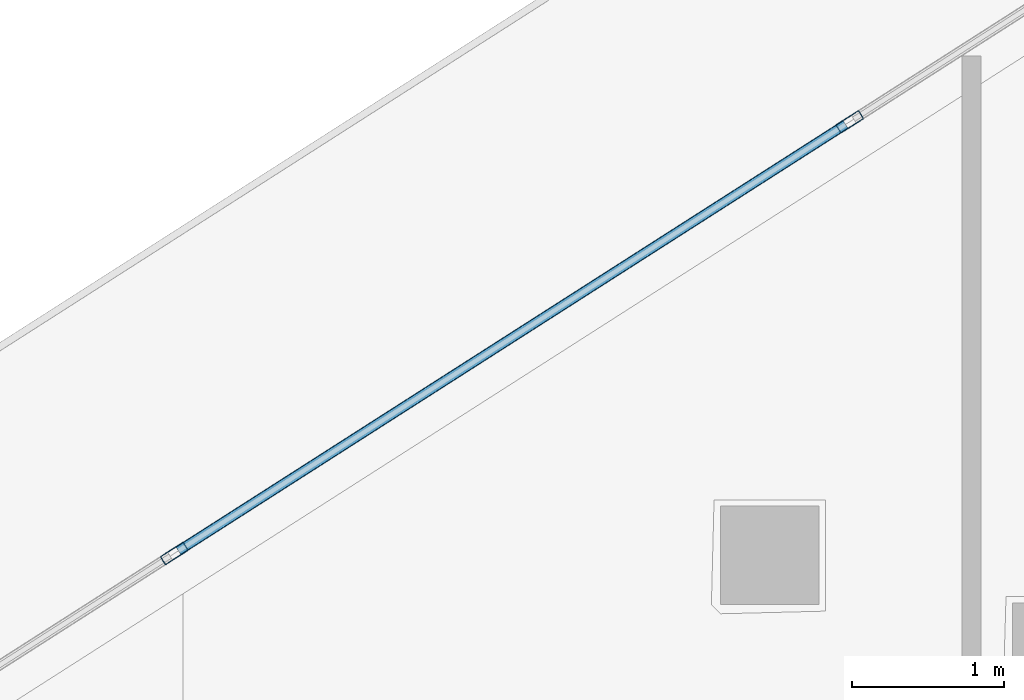
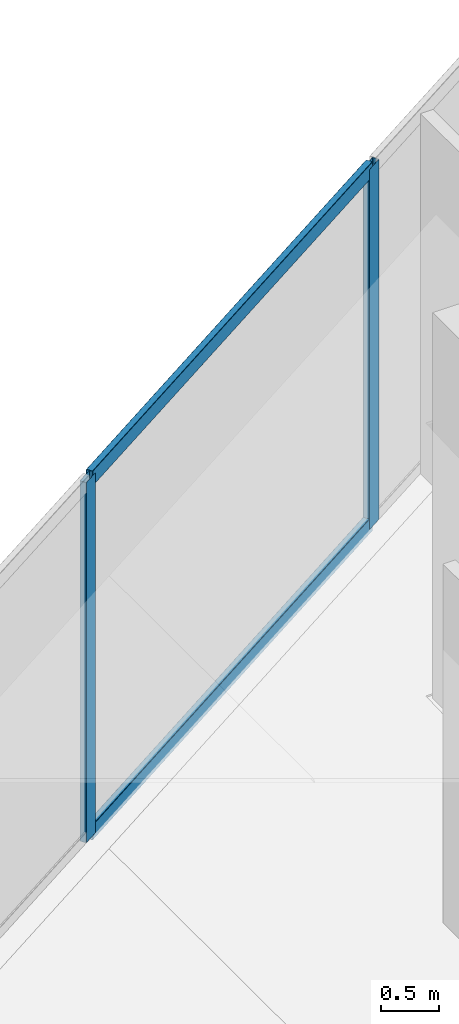
# One storey, part 16 of 37: 4 members, 1 element without a shape of its own.
"""IFC4 building model written with IfcOpenShell, lengths in metres."""

from ifc_helpers import new_model, si_unit, direction, frame, origin, origin_2d, place, context, subcontext, project, spatial, hollow_rectangle, extrude, material, layer, layer_set, material_profile, profile_set, type_object, element, aggregate, save


model = new_model("IFC4")

# Units and contexts
model_context = context("Model", 3, precision=1e-05, world=origin(), true_north=direction((0.0, 1.0)))
body_context = subcontext(model_context, "Body", "Model", "MODEL_VIEW")
ifc_project = project(units=[si_unit("LENGTHUNIT", "METRE"), si_unit("AREAUNIT", "SQUARE_METRE"), si_unit("VOLUMEUNIT", "CUBIC_METRE"), si_unit("PLANEANGLEUNIT", "RADIAN"), si_unit("MASSUNIT", "GRAM", prefix="KILO")], contexts=[model_context])

# Site, building, storey
site_placement = place(None, origin())
site = spatial("IfcSite", under=ifc_project, at=site_placement, CompositionType="ELEMENT")
building_placement = place(site_placement, origin())
building = spatial("IfcBuilding", under=site, at=building_placement, Name="Qorvath Tower", CompositionType="ELEMENT")
storey_placement = place(building_placement, frame((0.0, 0.0, 184.800048828125)))
storey = spatial("IfcBuildingStorey", under=building, at=storey_placement, Name="L42", CompositionType="ELEMENT", Elevation=184.800048828125)

# Curtain wall, members
ifc_material_1 = material(Name="Anodised aluminium and triple low-E glass", Category="aluminium")
ifc_layer = layer(ifc_material_1, 0.179931640625)
ifc_layer_set = layer_set([ifc_layer], Name="CW-SYS-3")
curtain_wall_type = type_object("IfcCurtainWallType", Name="CW-SYS-3", PredefinedType="NOTDEFINED", material=ifc_layer_set)
curtain_wall_placement = place(storey_placement, origin())
curtain_wall = element("IfcCurtainWall", 1, at=curtain_wall_placement, inside=storey, type_object=curtain_wall_type, Name="Curtain Wall CW-3 CW-T-L42-16.2", PredefinedType="NOTDEFINED")
ifc_material_2 = material(Name="Anodised aluminium 6063-T6", Category="aluminium")
ifc_material_profile_1 = material_profile(ifc_material_2, hollow_rectangle(XDim=0.06494140625, YDim=0.179931640625, WallThickness=0.00341796875, InnerFilletRadius=0.00341796875, OuterFilletRadius=0.007080078125, at=origin_2d()), Name="CWM 180x65")
ifc_profile_set_1 = profile_set([ifc_material_profile_1], Name="Anodised aluminium 6063-T6")
member_type_1 = type_object("IfcMemberType", Name="CWM-180", PredefinedType="MULLION", material=ifc_profile_set_1)
member_1_placement = place(storey_placement, frame((-35.453125, 16.241943359375, 0.0), z_axis=(0.0, 0.0, 1.0), x_axis=(0.538532984504, -0.842604429493, 0.0)))
member_1 = element("IfcMember", 2, at=member_1_placement, type_object=member_type_1, Name="CW-3 mullion 2", PredefinedType="MULLION", context=body_context, shape_type="SweptSolid", body=[
    extrude(hollow_rectangle(XDim=0.06494140625, YDim=0.179931640625, WallThickness=0.00341796875, InnerFilletRadius=0.00341796875, OuterFilletRadius=0.007080078125, at=origin_2d()), origin(), (0.0, 0.0, 1.0), 3.780029296875),
])
member_2_placement = place(storey_placement, frame((-39.90966796875, 13.393798828125, 0.0), z_axis=(0.0, 0.0, 1.0), x_axis=(0.538532984504, -0.842604429493, 0.0)))
member_2 = element("IfcMember", 3, at=member_2_placement, type_object=member_type_1, Name="CW-3 mullion 3", PredefinedType="MULLION", context=body_context, shape_type="SweptSolid", body=[
    extrude(hollow_rectangle(XDim=0.06494140625, YDim=0.179931640625, WallThickness=0.00341796875, InnerFilletRadius=0.00341796875, OuterFilletRadius=0.007080078125, at=origin_2d()), origin(), (0.0, 0.0, 1.0), 3.780029296875),
])
ifc_material_3 = material(Name="Anodised aluminium 6063-T6", Category="aluminium")
ifc_material_profile_2 = material_profile(ifc_material_3, hollow_rectangle(XDim=0.06494140625, YDim=0.159912109375, WallThickness=0.00341796875, InnerFilletRadius=0.00341796875, OuterFilletRadius=0.007080078125, at=origin_2d()), Name="CWT 160x65")
ifc_profile_set_2 = profile_set([ifc_material_profile_2], Name="Anodised aluminium 6063-T6")
member_type_2 = type_object("IfcMemberType", Name="CWT-160", PredefinedType="USERDEFINED", material=ifc_profile_set_2)
member_3_placement = place(storey_placement, frame((-35.48046875, 16.224609375, 0.032470703125), z_axis=(-0.842593765109, -0.538549669946, 0.0), x_axis=(0.538549669946, -0.842593765109, 0.0)))
member_3 = element("IfcMember", 4, at=member_3_placement, type_object=member_type_2, Name="CW-3 transom 2.1", ObjectType="TRANSOM", PredefinedType="USERDEFINED", context=body_context, shape_type="SweptSolid", body=[
    extrude(hollow_rectangle(XDim=0.06494140625, YDim=0.159912109375, WallThickness=0.00341796875, InnerFilletRadius=0.00341796875, OuterFilletRadius=0.007080078125, at=origin_2d()), origin(), (0.0, 0.0, 1.0), 5.22412109375),
])
member_4_placement = place(storey_placement, frame((-35.48046875, 16.224609375, 3.74755859375), z_axis=(-0.842593765109, -0.538549669946, 0.0), x_axis=(0.538549669946, -0.842593765109, 0.0)))
member_4 = element("IfcMember", 5, at=member_4_placement, type_object=member_type_2, Name="CW-3 transom 2.2", ObjectType="TRANSOM", PredefinedType="USERDEFINED", context=body_context, shape_type="SweptSolid", body=[
    extrude(hollow_rectangle(XDim=0.06494140625, YDim=0.159912109375, WallThickness=0.00341796875, InnerFilletRadius=0.00341796875, OuterFilletRadius=0.007080078125, at=origin_2d()), origin(), (0.0, 0.0, 1.0), 5.22412109375),
])
aggregate(curtain_wall, [member_1, member_2, member_3, member_4])

save(model, "model.ifc")
